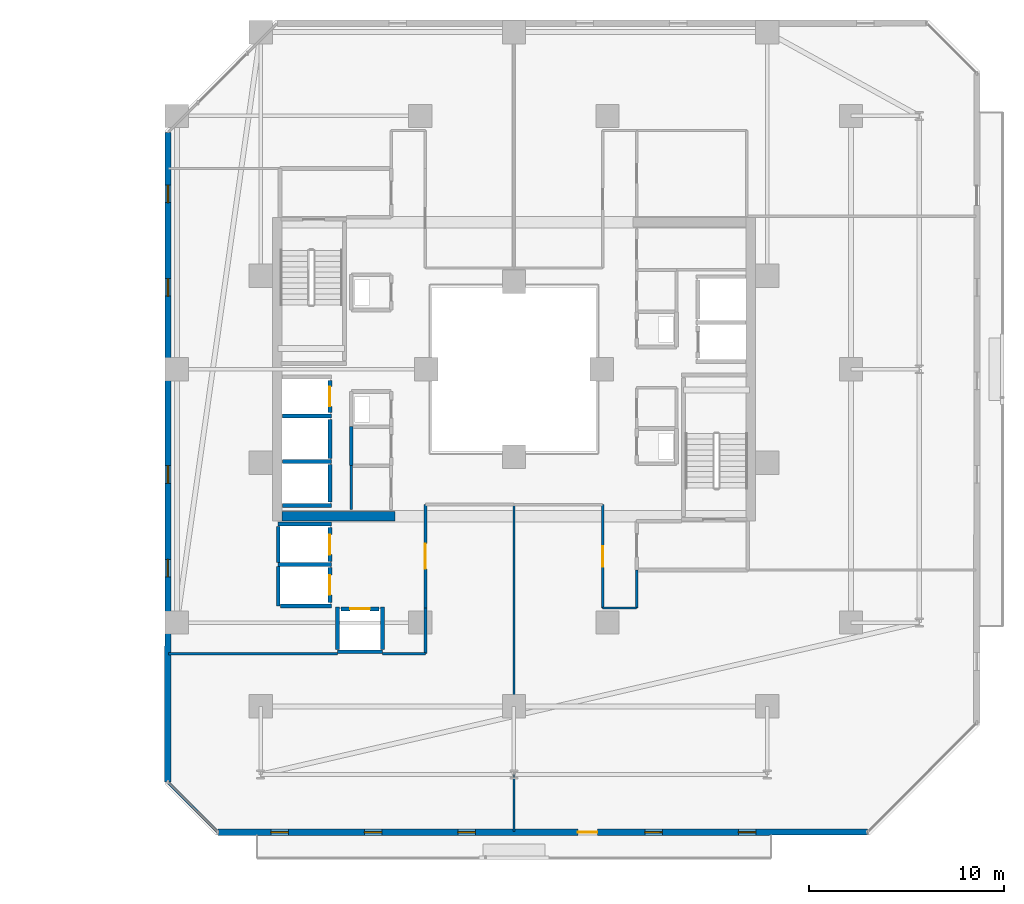
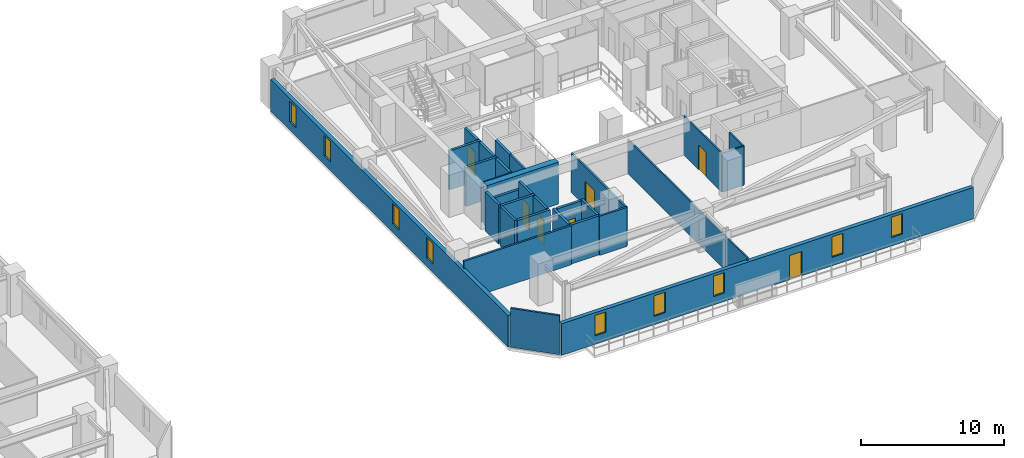
# One storey, part 21 of 31: 31 walls, 9 windows, 7 doors, 16 openings.
"""IFC4 building model written with IfcOpenShell, lengths in metres."""

from ifc_helpers import new_model, si_unit, direction, frame, frame_2d, origin, place, context, subcontext, project, spatial, rectangle, extrude, material, layer, layer_set, type_object, element, fill, save


model = new_model("IFC4")

# Units and contexts
model_context = context("Model", 3, precision=1e-05, world=origin(), true_north=direction((0.0, 1.0)))
body_context = subcontext(model_context, "Body", "Model", "MODEL_VIEW")
ifc_project = project(units=[si_unit("LENGTHUNIT", "METRE"), si_unit("AREAUNIT", "SQUARE_METRE"), si_unit("VOLUMEUNIT", "CUBIC_METRE"), si_unit("PLANEANGLEUNIT", "RADIAN"), si_unit("MASSUNIT", "GRAM", prefix="KILO")], contexts=[model_context])

# Site, building, storey
site_placement = place(None, origin())
site = spatial("IfcSite", under=ifc_project, at=site_placement, CompositionType="ELEMENT")
building_placement = place(site_placement, origin())
building = spatial("IfcBuilding", under=site, at=building_placement, Name="Thornwick Lancets Civic Towers", CompositionType="ELEMENT")
storey_placement = place(building_placement, frame((0.0, 0.0, 126.89990234375)))
storey = spatial("IfcBuildingStorey", under=building, at=storey_placement, Name="L33", CompositionType="ELEMENT", Elevation=126.89990234375)

# Wall, opening, door
ifc_material_1 = material(Name="Concrete blockwork C40/50", Category="masonry")
ifc_layer_1 = layer(ifc_material_1, 0.199951171875, Name="Concrete blockwork C40/50")
ifc_layer_set_1 = layer_set([ifc_layer_1], Name="Concrete blockwork C40/50")
wall_type_1 = type_object("IfcWallType", Name="WALL_COMP_200", PredefinedType="STANDARD", material=ifc_layer_set_1)
wall_1_placement = place(storey_placement, frame((79.050048828125, 24.780029296875, 0.0), z_axis=(0.0, 0.0, 1.0), x_axis=(0.0, 1.0, 0.0)))
wall_1 = element("IfcWall", 1, at=wall_1_placement, inside=storey, type_object=wall_type_1, Name="L33 Hoistway Front Wall FL-B2", PredefinedType="STANDARD", context=body_context, shape_type="SweptSolid", body=[
    extrude(rectangle(XDim=1.639892578125, YDim=0.199951171875, at=frame_2d((0.81982421875, 0.0))), origin(), (0.0, 0.0, 1.0), 3.340087890625),
])
opening_1_placement = place(wall_1_placement, frame((0.31005859375, 0.0, 0.0)))
opening_1 = element("IfcOpeningElement", 2, at=opening_1_placement, cuts=wall_1, Name="Opening LD-FL-B2", PredefinedType="OPENING", context=body_context, shape_type="SweptSolid", body=[
    extrude(rectangle(XDim=1.02001953125, YDim=2.06005859375, at=frame_2d((0.510009765625, 1.030029296875))), frame((0.0, 0.10986328125, 0.0), z_axis=(0.0, -1.0, 0.0), x_axis=(1.0, 0.0, 0.0)), (0.0, 0.0, 1.0), 0.219970703125),
])
ifc_material_2 = material(Name="Brushed bronze stainless steel", Category="steel")
door_type_1 = type_object("IfcDoorType", Name="DOOR_LIFT_SLIDE", OperationType="SLIDING_TO_LEFT", PredefinedType="DOOR", material=ifc_material_2)
door_1_placement = place(opening_1_placement, origin())
door_1 = element("IfcDoor", 3, at=door_1_placement, inside=storey, type_object=door_type_1, Name="L33 Sliding Lift Landing Door LD-FL-B2", OperationType="SLIDING_TO_LEFT", OverallHeight=2.06005859375, OverallWidth=1.02001953125, PredefinedType="DOOR", context=body_context, shape_type="SweptSolid", body=[
    extrude(rectangle(XDim=1.02001953125, YDim=2.06005859375, at=frame_2d((0.510009765625, 1.030029296875))), frame((0.0, 0.02490234375, 0.0), z_axis=(0.0, -1.0, 0.0), x_axis=(1.0, 0.0, 0.0)), (0.0, 0.0, 1.0), 0.050048828125),
])
fill(opening_1, door_1)

# Walls
wall_2_placement = place(storey_placement, frame((79.050048828125, 22.429931640625, 0.0), z_axis=(0.0, 0.0, 1.0), x_axis=(0.0, 1.0, 0.0)))
element("IfcWall", 4, at=wall_2_placement, inside=storey, type_object=wall_type_1, Name="L33 Hoistway Front Wall PL-BH2", PredefinedType="STANDARD", context=body_context, shape_type="SweptSolid", body=[
    extrude(rectangle(XDim=1.989990234375, YDim=0.199951171875, at=frame_2d((0.9951171875, 0.0))), origin(), (0.0, 0.0, 1.0), 3.340087890625),
])
wall_3_placement = place(storey_placement, frame((79.050048828125, 20.179931640625, 0.0), z_axis=(0.0, 0.0, 1.0), x_axis=(0.0, 1.0, 0.0)))
element("IfcWall", 5, at=wall_3_placement, inside=storey, type_object=wall_type_1, Name="L33 Hoistway Front Wall PL-BH3", PredefinedType="STANDARD", context=body_context, shape_type="SweptSolid", body=[
    extrude(rectangle(XDim=1.940185546875, YDim=0.199951171875, at=frame_2d((0.97021484375, 0.0))), origin(), (0.0, 0.0, 1.0), 3.340087890625),
])

# Wall, opening, door
wall_4_placement = place(storey_placement, frame((79.050048828125, 17.1298828125, 0.0), z_axis=(0.0, 0.0, 1.0), x_axis=(0.0, 1.0, 0.0)))
wall_4 = element("IfcWall", 6, at=wall_4_placement, inside=storey, type_object=wall_type_1, Name="L33 Hoistway Front Wall PL-BM1", PredefinedType="STANDARD", context=body_context, shape_type="SweptSolid", body=[
    extrude(rectangle(XDim=1.740234375, YDim=0.199951171875, at=frame_2d((0.8701171875, 0.0))), origin(), (0.0, 0.0, 1.0), 3.340087890625),
])
opening_2_placement = place(wall_4_placement, frame((0.360107421875, 0.0, 0.0)))
opening_2 = element("IfcOpeningElement", 7, at=opening_2_placement, cuts=wall_4, Name="Opening LD-PL-BM1", PredefinedType="OPENING", context=body_context, shape_type="SweptSolid", body=[
    extrude(rectangle(XDim=1.02001953125, YDim=2.06005859375, at=frame_2d((0.510009765625, 1.030029296875))), frame((0.0, 0.10986328125, 0.0), z_axis=(0.0, -1.0, 0.0), x_axis=(1.0, 0.0, 0.0)), (0.0, 0.0, 1.0), 0.219970703125),
])
door_2_placement = place(opening_2_placement, origin())
door_2 = element("IfcDoor", 8, at=door_2_placement, inside=storey, type_object=door_type_1, Name="L33 Sliding Lift Landing Door LD-PL-BM1", OperationType="SLIDING_TO_LEFT", OverallHeight=2.06005859375, OverallWidth=1.02001953125, PredefinedType="DOOR", context=body_context, shape_type="SweptSolid", body=[
    extrude(rectangle(XDim=1.02001953125, YDim=2.06005859375, at=frame_2d((0.510009765625, 1.030029296875))), frame((0.0, 0.02490234375, 0.0), z_axis=(0.0, -1.0, 0.0), x_axis=(1.0, 0.0, 0.0)), (0.0, 0.0, 1.0), 0.050048828125),
])
fill(opening_2, door_2)

wall_5_placement = place(storey_placement, frame((79.050048828125, 15.030029296875, 0.0), z_axis=(0.0, 0.0, 1.0), x_axis=(0.0, 1.0, 0.0)))
wall_5 = element("IfcWall", 9, at=wall_5_placement, inside=storey, type_object=wall_type_1, Name="L33 Hoistway Front Wall PL-BM2", PredefinedType="STANDARD", context=body_context, shape_type="SweptSolid", body=[
    extrude(rectangle(XDim=1.7900390625, YDim=0.199951171875, at=frame_2d((0.89501953125, 0.0))), origin(), (0.0, 0.0, 1.0), 3.340087890625),
])
opening_3_placement = place(wall_5_placement, frame((0.385009765625, 0.0, 0.0)))
opening_3 = element("IfcOpeningElement", 10, at=opening_3_placement, cuts=wall_5, Name="Opening LD-PL-BM2", PredefinedType="OPENING", context=body_context, shape_type="SweptSolid", body=[
    extrude(rectangle(XDim=1.02001953125, YDim=2.06005859375, at=frame_2d((0.510009765625, 1.030029296875))), frame((0.0, 0.10986328125, 0.0), z_axis=(0.0, -1.0, 0.0), x_axis=(1.0, 0.0, 0.0)), (0.0, 0.0, 1.0), 0.219970703125),
])
door_3_placement = place(opening_3_placement, origin())
door_3 = element("IfcDoor", 11, at=door_3_placement, inside=storey, type_object=door_type_1, Name="L33 Sliding Lift Landing Door LD-PL-BM2", OperationType="SLIDING_TO_LEFT", OverallHeight=2.06005859375, OverallWidth=1.02001953125, PredefinedType="DOOR", context=body_context, shape_type="SweptSolid", body=[
    extrude(rectangle(XDim=1.02001953125, YDim=2.06005859375, at=frame_2d((0.510009765625, 1.030029296875))), frame((0.0, 0.02490234375, 0.0), z_axis=(0.0, -1.0, 0.0), x_axis=(1.0, 0.0, 0.0)), (0.0, 0.0, 1.0), 0.050048828125),
])
fill(opening_3, door_3)

wall_6_placement = place(storey_placement, frame((79.6298828125, 14.699951171875, 0.0), z_axis=(0.0, 0.0, 1.0), x_axis=(1.0, 0.0, 0.0)))
wall_6 = element("IfcWall", 12, at=wall_6_placement, inside=storey, type_object=wall_type_1, Name="L33 Hoistway Front Wall PL-BM3", PredefinedType="STANDARD", context=body_context, shape_type="SweptSolid", body=[
    extrude(rectangle(XDim=1.940185546875, YDim=0.199951171875, at=frame_2d((0.97021484375, 0.0))), origin(), (0.0, 0.0, 1.0), 3.340087890625),
])
opening_4_placement = place(wall_6_placement, frame((0.4599609375, 0.0, 0.0)))
opening_4 = element("IfcOpeningElement", 13, at=opening_4_placement, cuts=wall_6, Name="Opening LD-PL-BM3", PredefinedType="OPENING", context=body_context, shape_type="SweptSolid", body=[
    extrude(rectangle(XDim=1.02001953125, YDim=2.06005859375, at=frame_2d((0.510009765625, 1.030029296875))), frame((0.0, 0.10986328125, 0.0), z_axis=(0.0, -1.0, 0.0), x_axis=(1.0, 0.0, 0.0)), (0.0, 0.0, 1.0), 0.219970703125),
])
door_4_placement = place(opening_4_placement, origin())
door_4 = element("IfcDoor", 14, at=door_4_placement, inside=storey, type_object=door_type_1, Name="L33 Sliding Lift Landing Door LD-PL-BM3", OperationType="SLIDING_TO_LEFT", OverallHeight=2.06005859375, OverallWidth=1.02001953125, PredefinedType="DOOR", context=body_context, shape_type="SweptSolid", body=[
    extrude(rectangle(XDim=1.02001953125, YDim=2.06005859375, at=frame_2d((0.510009765625, 1.030029296875))), frame((0.0, 0.02490234375, 0.0), z_axis=(0.0, -1.0, 0.0), x_axis=(1.0, 0.0, 0.0)), (0.0, 0.0, 1.0), 0.050048828125),
])
fill(opening_4, door_4)

# Walls
for number, where, z_axis, x_axis, name in (
    (15, (76.612060546875, 24.60009765625, 0.0), (0.0, 0.0, 1.0), (1.0, 0.0, 0.0), "L33 Hoistway Shaft Wall FL-B2 S"),
    (16, (76.612060546875, 22.27490234375, 0.0), (0.0, 0.0, 1.0), (1.0, 0.0, 0.0), "L33 Hoistway Shaft Wall PL-BH2 S"),
    (17, (76.612060546875, 20.0, 0.0), (0.0, 0.0, 1.0), (1.0, 0.0, 0.0), "L33 Hoistway Shaft Wall PL-BH3 S"),
):
    element("IfcWall", number, at=place(storey_placement, frame(where, z_axis=z_axis, x_axis=x_axis)), inside=storey, type_object=wall_type_1, Name=name, PredefinedType="STANDARD", context=body_context, shape_type="SweptSolid", body=[
        extrude(rectangle(XDim=2.535888671875, YDim=0.199951171875, at=frame_2d((1.26806640625, 0.0))), origin(), (0.0, 0.0, 1.0), 3.340087890625),
    ])
wall_7_placement = place(storey_placement, frame((76.402099609375, 19.050048828125, 0.0), z_axis=(0.0, 0.0, 1.0), x_axis=(1.0, 0.0, 0.0)))
element("IfcWall", 18, at=wall_7_placement, inside=storey, type_object=wall_type_1, Name="L33 Hoistway Shaft Wall PL-BM1 N", PredefinedType="STANDARD", context=body_context, shape_type="SweptSolid", body=[
    extrude(rectangle(XDim=2.745849609375, YDim=0.199951171875, at=frame_2d((1.373046875, 0.0))), origin(), (0.0, 0.0, 1.0), 2.545166015625),
])
wall_8_placement = place(storey_placement, frame((76.402099609375, 16.97509765625, 0.0), z_axis=(0.0, 0.0, 1.0), x_axis=(1.0, 0.0, 0.0)))
element("IfcWall", 19, at=wall_8_placement, inside=storey, type_object=wall_type_1, Name="L33 Hoistway Shaft Wall PL-BM1 S", PredefinedType="STANDARD", context=body_context, shape_type="SweptSolid", body=[
    extrude(rectangle(XDim=2.745849609375, YDim=0.199951171875, at=frame_2d((1.373046875, 0.0))), origin(), (0.0, 0.0, 1.0), 3.340087890625),
])
wall_9_placement = place(storey_placement, frame((76.39990234375, 14.85205078125, 0.0), z_axis=(0.0, 0.0, 1.0), x_axis=(0.0, 1.0, 0.0)))
element("IfcWall", 20, at=wall_9_placement, inside=storey, type_object=wall_type_1, Name="L33 Hoistway Shaft Wall PL-BM1 W", PredefinedType="STANDARD", context=body_context, shape_type="SweptSolid", body=[
    extrude(rectangle(XDim=2.015869140625, YDim=0.199951171875, at=frame_2d((1.0078125, 0.0))), origin(), (0.0, 0.0, 1.0), 3.340087890625),
])
wall_10_placement = place(storey_placement, frame((76.39990234375, 17.08203125, 0.0), z_axis=(0.0, 0.0, 1.0), x_axis=(0.0, 1.0, 0.0)))
element("IfcWall", 21, at=wall_10_placement, inside=storey, type_object=wall_type_1, Name="L33 Hoistway Shaft Wall PL-BM1 W", PredefinedType="STANDARD", context=body_context, shape_type="SweptSolid", body=[
    extrude(rectangle(XDim=1.85595703125, YDim=0.199951171875, at=frame_2d((0.927978515625, 0.0))), origin(), (0.0, 0.0, 1.0), 3.340087890625),
])
wall_11_placement = place(storey_placement, frame((76.511962890625, 14.85009765625, 0.0), z_axis=(0.0, 0.0, 1.0), x_axis=(1.0, 0.0, 0.0)))
element("IfcWall", 22, at=wall_11_placement, inside=storey, type_object=wall_type_1, Name="L33 Hoistway Shaft Wall PL-BM2 S", PredefinedType="STANDARD", context=body_context, shape_type="SweptSolid", body=[
    extrude(rectangle(XDim=2.635986328125, YDim=0.199951171875, at=frame_2d((1.31787109375, 0.0))), origin(), (0.0, 0.0, 1.0), 3.340087890625),
])
wall_12_placement = place(storey_placement, frame((79.451904296875, 12.5, 0.0), z_axis=(0.0, 0.0, 1.0), x_axis=(1.0, 0.0, 0.0)))
element("IfcWall", 23, at=wall_12_placement, inside=storey, type_object=wall_type_1, Name="L33 Hoistway Shaft Wall PL-BM3 S", PredefinedType="STANDARD", context=body_context, shape_type="SweptSolid", body=[
    extrude(rectangle(XDim=2.296142578125, YDim=0.199951171875, at=frame_2d((1.14794921875, 0.0))), origin(), (0.0, 0.0, 1.0), 3.340087890625),
])
for number, where, z_axis, x_axis, name in (
    (24, (81.75, 12.612060546875, 0.0), (0.0, 0.0, 1.0), (0.0, 1.0, 0.0), "L33 Hoistway Shaft Wall PL-BM3 E"),
    (25, (79.449951171875, 12.612060546875, 0.0), (0.0, 0.0, 1.0), (0.0, 1.0, 0.0), "L33 Hoistway Shaft Wall PL-BM3 W"),
):
    element("IfcWall", number, at=place(storey_placement, frame(where, z_axis=z_axis, x_axis=x_axis)), inside=storey, type_object=wall_type_1, Name=name, PredefinedType="STANDARD", context=body_context, shape_type="SweptSolid", body=[
        extrude(rectangle(XDim=2.18603515625, YDim=0.199951171875, at=frame_2d((1.093017578125, 0.0))), origin(), (0.0, 0.0, 1.0), 3.340087890625),
    ])
wall_13_placement = place(storey_placement, frame((80.14990234375, 22.050048828125, 0.0), z_axis=(0.0, 0.0, 1.0), x_axis=(0.0, 1.0, 0.0)))
element("IfcWall", 26, at=wall_13_placement, inside=storey, type_object=wall_type_1, Name="L33 Partition L33-B-STR E1", PredefinedType="STANDARD", context=body_context, shape_type="SweptSolid", body=[
    extrude(rectangle(XDim=2.0, YDim=0.199951171875, at=frame_2d((1.0, 0.0))), origin(), (0.0, 0.0, 1.0), 3.340087890625),
])
ifc_material_3 = material(Name="Concrete C50/60", Category="concrete")
ifc_layer_2 = layer(ifc_material_3, 0.5, Name="Concrete C50/60")
ifc_layer_set_2 = layer_set([ifc_layer_2], Name="Concrete C50/60")
wall_type_2 = type_object("IfcWallType", Name="WALL_CORE_500", PredefinedType="SHEAR", material=ifc_layer_set_2)
wall_14_placement = place(storey_placement, frame((76.60009765625, 19.449951171875, 0.0), z_axis=(0.0, 0.0, 1.0), x_axis=(1.0, 0.0, 0.0)))
element("IfcWall", 27, at=wall_14_placement, inside=storey, type_object=wall_type_2, Name="L33 Split Core B2 Shear Wall S", PredefinedType="SHEAR", context=body_context, shape_type="SweptSolid", body=[
    extrude(rectangle(XDim=5.7998046875, YDim=0.5, at=frame_2d((2.89990234375, 0.0))), origin(), (0.0, 0.0, 1.0), 3.60009765625),
])

# Wall, openings, door, windows
ifc_material_4 = material(Name="Insulated buff terracotta rainscreen on concrete C40/50", Category="masonry")
ifc_layer_3 = layer(ifc_material_4, 0.320068359375, Name="Insulated buff terracotta rainscreen on concrete C40/50")
ifc_layer_set_3 = layer_set([ifc_layer_3], Name="Insulated buff terracotta rainscreen on concrete C40/50")
wall_type_3 = type_object("IfcWallType", Name="WALL_EXT_TERRA_320", PredefinedType="STANDARD", material=ifc_layer_set_3)
wall_15_placement = place(storey_placement, frame((73.318603515625, 3.2353515625, 0.0), z_axis=(0.0, 0.0, 1.0), x_axis=(0.999999954901, 0.000300328883, 0.0)))
wall_15 = element("IfcWall", 28, at=wall_15_placement, inside=storey, type_object=wall_type_3, Name="L33 Tower B Terracotta Facade Wall E0", PredefinedType="STANDARD", context=body_context, shape_type="SweptSolid", body=[
    extrude(rectangle(XDim=33.329345703125, YDim=0.320068359375, at=frame_2d((16.66455078125, 0.0))), origin(), (0.0, 0.0, 1.0), 2.7001953125),
])
opening_5_placement = place(wall_15_placement, frame((18.464599609375, 0.0, 0.0)))
opening_5 = element("IfcOpeningElement", 29, at=opening_5_placement, cuts=wall_15, Name="Opening D-BL-L33-BS", PredefinedType="OPENING", context=body_context, shape_type="SweptSolid", body=[
    extrude(rectangle(XDim=1.0, YDim=2.080078125, at=frame_2d((0.5, 1.0400390625))), frame((0.0, 0.169921875, 0.0), z_axis=(0.0, -1.0, 0.0), x_axis=(1.0, 0.0, 0.0)), (0.0, 0.0, 1.0), 0.340087890625),
])
opening_6_placement = place(wall_15_placement, frame((2.699951171875, 0.0, 0.719970703125)))
opening_6 = element("IfcOpeningElement", 30, at=opening_6_placement, cuts=wall_15, Name="Opening WL-01", PredefinedType="OPENING", context=body_context, shape_type="SweptSolid", body=[
    extrude(rectangle(XDim=0.89990234375, YDim=1.75, at=frame_2d((0.449951171875, 0.875))), frame((0.0, 0.169921875, 0.0), z_axis=(0.0, -1.0, 0.0), x_axis=(1.0, 0.0, 0.0)), (0.0, 0.0, 1.0), 0.340087890625),
])
opening_7_placement = place(wall_15_placement, frame((7.5, 0.0, 0.719970703125)))
opening_7 = element("IfcOpeningElement", 31, at=opening_7_placement, cuts=wall_15, Name="Opening WL-01", PredefinedType="OPENING", context=body_context, shape_type="SweptSolid", body=[
    extrude(rectangle(XDim=0.89990234375, YDim=1.75, at=frame_2d((0.449951171875, 0.875))), frame((0.0, 0.169921875, 0.0), z_axis=(0.0, -1.0, 0.0), x_axis=(1.0, 0.0, 0.0)), (0.0, 0.0, 1.0), 0.340087890625),
])
opening_8_placement = place(wall_15_placement, frame((12.300048828125, 0.0, 0.719970703125)))
opening_8 = element("IfcOpeningElement", 32, at=opening_8_placement, cuts=wall_15, Name="Opening WL-01", PredefinedType="OPENING", context=body_context, shape_type="SweptSolid", body=[
    extrude(rectangle(XDim=0.89990234375, YDim=1.75, at=frame_2d((0.449951171875, 0.875))), frame((0.0, 0.169921875, 0.0), z_axis=(0.0, -1.0, 0.0), x_axis=(1.0, 0.0, 0.0)), (0.0, 0.0, 1.0), 0.340087890625),
])
opening_9_placement = place(wall_15_placement, frame((21.89990234375, 0.0, 0.719970703125)))
opening_9 = element("IfcOpeningElement", 33, at=opening_9_placement, cuts=wall_15, Name="Opening WL-01", PredefinedType="OPENING", context=body_context, shape_type="SweptSolid", body=[
    extrude(rectangle(XDim=0.89990234375, YDim=1.75, at=frame_2d((0.449951171875, 0.875))), frame((0.0, 0.169921875, 0.0), z_axis=(0.0, -1.0, 0.0), x_axis=(1.0, 0.0, 0.0)), (0.0, 0.0, 1.0), 0.340087890625),
])
opening_10_placement = place(wall_15_placement, frame((26.699951171875, 0.0, 0.719970703125)))
opening_10 = element("IfcOpeningElement", 34, at=opening_10_placement, cuts=wall_15, Name="Opening WL-01", PredefinedType="OPENING", context=body_context, shape_type="SweptSolid", body=[
    extrude(rectangle(XDim=0.89990234375, YDim=1.75, at=frame_2d((0.449951171875, 0.875))), frame((0.0, 0.169921875, 0.0), z_axis=(0.0, -1.0, 0.0), x_axis=(1.0, 0.0, 0.0)), (0.0, 0.0, 1.0), 0.340087890625),
])
ifc_material_5 = material(Name="Thermally broken glazed loggia doorset")
door_type_2 = type_object("IfcDoorType", Name="DOOR_BALC_1000", OperationType="NOTDEFINED", PredefinedType="DOOR", material=ifc_material_5)
door_5_placement = place(opening_5_placement, origin())
door_5 = element("IfcDoor", 35, at=door_5_placement, inside=storey, type_object=door_type_2, Name="L33 Tower B Loggia Balcony Door S", OperationType="SINGLE_SWING_RIGHT", OverallHeight=2.080078125, OverallWidth=1.0, PredefinedType="DOOR", context=body_context, shape_type="SweptSolid", body=[
    extrude(rectangle(XDim=1.0, YDim=2.080078125, at=frame_2d((0.5, 1.0400390625))), frame((0.0, 0.02490234375, 0.0), z_axis=(0.0, -1.0, 0.0), x_axis=(1.0, 0.0, 0.0)), (0.0, 0.0, 1.0), 0.050048828125),
])
fill(opening_5, door_5)
ifc_material_6 = material(Name="Clear low-e double glazing in bronze frame", Category="glass")
window_type = type_object("IfcWindowType", Name="WIN_LANCET_900", PartitioningType="SINGLE_PANEL", PredefinedType="WINDOW", material=ifc_material_6)
window_1_placement = place(opening_6_placement, origin())
window_1 = element("IfcWindow", 36, at=window_1_placement, inside=storey, type_object=window_type, Name="L33 Tower B Staggered Lancet Window E0-1", OverallHeight=1.75, OverallWidth=0.89990234375, PartitioningType="SINGLE_PANEL", PredefinedType="WINDOW", context=body_context, shape_type="SweptSolid", body=[
    extrude(rectangle(XDim=0.89990234375, YDim=1.75, at=frame_2d((0.449951171875, 0.875))), frame((0.0, 0.030029296875, 0.0), z_axis=(0.0, -1.0, 0.0), x_axis=(1.0, 0.0, 0.0)), (0.0, 0.0, 1.0), 0.06005859375),
])
fill(opening_6, window_1)
window_2_placement = place(opening_7_placement, origin())
window_2 = element("IfcWindow", 37, at=window_2_placement, inside=storey, type_object=window_type, Name="L33 Tower B Staggered Lancet Window E0-2", OverallHeight=1.75, OverallWidth=0.89990234375, PartitioningType="SINGLE_PANEL", PredefinedType="WINDOW", context=body_context, shape_type="SweptSolid", body=[
    extrude(rectangle(XDim=0.89990234375, YDim=1.75, at=frame_2d((0.449951171875, 0.875))), frame((0.0, 0.030029296875, 0.0), z_axis=(0.0, -1.0, 0.0), x_axis=(1.0, 0.0, 0.0)), (0.0, 0.0, 1.0), 0.06005859375),
])
fill(opening_7, window_2)
window_3_placement = place(opening_8_placement, origin())
window_3 = element("IfcWindow", 38, at=window_3_placement, inside=storey, type_object=window_type, Name="L33 Tower B Staggered Lancet Window E0-3", OverallHeight=1.75, OverallWidth=0.89990234375, PartitioningType="SINGLE_PANEL", PredefinedType="WINDOW", context=body_context, shape_type="SweptSolid", body=[
    extrude(rectangle(XDim=0.89990234375, YDim=1.75, at=frame_2d((0.449951171875, 0.875))), frame((0.0, 0.030029296875, 0.0), z_axis=(0.0, -1.0, 0.0), x_axis=(1.0, 0.0, 0.0)), (0.0, 0.0, 1.0), 0.06005859375),
])
fill(opening_8, window_3)
window_4_placement = place(opening_9_placement, origin())
window_4 = element("IfcWindow", 39, at=window_4_placement, inside=storey, type_object=window_type, Name="L33 Tower B Staggered Lancet Window E0-4", OverallHeight=1.75, OverallWidth=0.89990234375, PartitioningType="SINGLE_PANEL", PredefinedType="WINDOW", context=body_context, shape_type="SweptSolid", body=[
    extrude(rectangle(XDim=0.89990234375, YDim=1.75, at=frame_2d((0.449951171875, 0.875))), frame((0.0, 0.030029296875, 0.0), z_axis=(0.0, -1.0, 0.0), x_axis=(1.0, 0.0, 0.0)), (0.0, 0.0, 1.0), 0.06005859375),
])
fill(opening_9, window_4)
window_5_placement = place(opening_10_placement, origin())
window_5 = element("IfcWindow", 40, at=window_5_placement, inside=storey, type_object=window_type, Name="L33 Tower B Staggered Lancet Window E0-5", OverallHeight=1.75, OverallWidth=0.89990234375, PartitioningType="SINGLE_PANEL", PredefinedType="WINDOW", context=body_context, shape_type="SweptSolid", body=[
    extrude(rectangle(XDim=0.89990234375, YDim=1.75, at=frame_2d((0.449951171875, 0.875))), frame((0.0, 0.030029296875, 0.0), z_axis=(0.0, -1.0, 0.0), x_axis=(1.0, 0.0, 0.0)), (0.0, 0.0, 1.0), 0.06005859375),
])
fill(opening_10, window_5)

# Wall, openings, windows
wall_16_placement = place(storey_placement, frame((70.745361328125, 39.14794921875, 0.0), z_axis=(0.0, 0.0, 1.0), x_axis=(-0.000300328883, -0.999999954901, 0.0)))
wall_16 = element("IfcWall", 41, at=wall_16_placement, inside=storey, type_object=wall_type_3, Name="L33 Tower B Terracotta Facade Wall E6", PredefinedType="STANDARD", context=body_context, shape_type="SweptSolid", body=[
    extrude(rectangle(XDim=33.329345703125, YDim=0.320068359375, at=frame_2d((16.66455078125, 0.0))), origin(), (0.0, 0.0, 1.0), 2.7001953125),
])
opening_11_placement = place(wall_16_placement, frame((2.699951171875, 0.0, 0.719970703125)))
opening_11 = element("IfcOpeningElement", 42, at=opening_11_placement, cuts=wall_16, Name="Opening WL-01", PredefinedType="OPENING", context=body_context, shape_type="SweptSolid", body=[
    extrude(rectangle(XDim=0.89990234375, YDim=1.75, at=frame_2d((0.449951171875, 0.875))), frame((0.0, 0.169921875, 0.0), z_axis=(0.0, -1.0, 0.0), x_axis=(1.0, 0.0, 0.0)), (0.0, 0.0, 1.0), 0.340087890625),
])
opening_12_placement = place(wall_16_placement, frame((7.5, 0.0, 0.719970703125)))
opening_12 = element("IfcOpeningElement", 43, at=opening_12_placement, cuts=wall_16, Name="Opening WL-01", PredefinedType="OPENING", context=body_context, shape_type="SweptSolid", body=[
    extrude(rectangle(XDim=0.89990234375, YDim=1.75, at=frame_2d((0.449951171875, 0.875))), frame((0.0, 0.169921875, 0.0), z_axis=(0.0, -1.0, 0.0), x_axis=(1.0, 0.0, 0.0)), (0.0, 0.0, 1.0), 0.340087890625),
])
opening_13_placement = place(wall_16_placement, frame((17.10009765625, 0.0, 0.719970703125)))
opening_13 = element("IfcOpeningElement", 44, at=opening_13_placement, cuts=wall_16, Name="Opening WL-01", PredefinedType="OPENING", context=body_context, shape_type="SweptSolid", body=[
    extrude(rectangle(XDim=0.89990234375, YDim=1.75, at=frame_2d((0.449951171875, 0.875))), frame((0.0, 0.169921875, 0.0), z_axis=(0.0, -1.0, 0.0), x_axis=(1.0, 0.0, 0.0)), (0.0, 0.0, 1.0), 0.340087890625),
])
opening_14_placement = place(wall_16_placement, frame((21.89990234375, 0.0, 0.719970703125)))
opening_14 = element("IfcOpeningElement", 45, at=opening_14_placement, cuts=wall_16, Name="Opening WL-01", PredefinedType="OPENING", context=body_context, shape_type="SweptSolid", body=[
    extrude(rectangle(XDim=0.89990234375, YDim=1.75, at=frame_2d((0.449951171875, 0.875))), frame((0.0, 0.169921875, 0.0), z_axis=(0.0, -1.0, 0.0), x_axis=(1.0, 0.0, 0.0)), (0.0, 0.0, 1.0), 0.340087890625),
])
window_6_placement = place(opening_11_placement, origin())
window_6 = element("IfcWindow", 46, at=window_6_placement, inside=storey, type_object=window_type, Name="L33 Tower B Staggered Lancet Window E6-1", OverallHeight=1.75, OverallWidth=0.89990234375, PartitioningType="SINGLE_PANEL", PredefinedType="WINDOW", context=body_context, shape_type="SweptSolid", body=[
    extrude(rectangle(XDim=0.89990234375, YDim=1.75, at=frame_2d((0.449951171875, 0.875))), frame((0.0, 0.030029296875, 0.0), z_axis=(0.0, -1.0, 0.0), x_axis=(1.0, 0.0, 0.0)), (0.0, 0.0, 1.0), 0.06005859375),
])
fill(opening_11, window_6)
window_7_placement = place(opening_12_placement, origin())
window_7 = element("IfcWindow", 47, at=window_7_placement, inside=storey, type_object=window_type, Name="L33 Tower B Staggered Lancet Window E6-2", OverallHeight=1.75, OverallWidth=0.89990234375, PartitioningType="SINGLE_PANEL", PredefinedType="WINDOW", context=body_context, shape_type="SweptSolid", body=[
    extrude(rectangle(XDim=0.89990234375, YDim=1.75, at=frame_2d((0.449951171875, 0.875))), frame((0.0, 0.030029296875, 0.0), z_axis=(0.0, -1.0, 0.0), x_axis=(1.0, 0.0, 0.0)), (0.0, 0.0, 1.0), 0.06005859375),
])
fill(opening_12, window_7)
window_8_placement = place(opening_13_placement, origin())
window_8 = element("IfcWindow", 48, at=window_8_placement, inside=storey, type_object=window_type, Name="L33 Tower B Staggered Lancet Window E6-3", OverallHeight=1.75, OverallWidth=0.89990234375, PartitioningType="SINGLE_PANEL", PredefinedType="WINDOW", context=body_context, shape_type="SweptSolid", body=[
    extrude(rectangle(XDim=0.89990234375, YDim=1.75, at=frame_2d((0.449951171875, 0.875))), frame((0.0, 0.030029296875, 0.0), z_axis=(0.0, -1.0, 0.0), x_axis=(1.0, 0.0, 0.0)), (0.0, 0.0, 1.0), 0.06005859375),
])
fill(opening_13, window_8)
window_9_placement = place(opening_14_placement, origin())
window_9 = element("IfcWindow", 49, at=window_9_placement, inside=storey, type_object=window_type, Name="L33 Tower B Staggered Lancet Window E6-4", OverallHeight=1.75, OverallWidth=0.89990234375, PartitioningType="SINGLE_PANEL", PredefinedType="WINDOW", context=body_context, shape_type="SweptSolid", body=[
    extrude(rectangle(XDim=0.89990234375, YDim=1.75, at=frame_2d((0.449951171875, 0.875))), frame((0.0, 0.030029296875, 0.0), z_axis=(0.0, -1.0, 0.0), x_axis=(1.0, 0.0, 0.0)), (0.0, 0.0, 1.0), 0.06005859375),
])
fill(opening_14, window_9)

# Wall
ifc_material_7 = material(Name="Acoustic gypsum board partition")
ifc_layer_4 = layer(ifc_material_7, 0.1201171875, Name="Acoustic gypsum board partition")
ifc_layer_set_4 = layer_set([ifc_layer_4], Name="Acoustic gypsum board partition")
wall_type_4 = type_object("IfcWallType", Name="WALL_PART_120", PredefinedType="PARTITIONING", material=ifc_layer_set_4)
wall_17_placement = place(storey_placement, frame((88.5, 3.280029296875, 0.0), z_axis=(0.0, 0.0, 1.0), x_axis=(0.0, 1.0, 0.0)))
element("IfcWall", 50, at=wall_17_placement, inside=storey, type_object=wall_type_4, Name="L33 Partition L33-B-W1 E2", PredefinedType="PARTITIONING", context=body_context, shape_type="SweptSolid", body=[
    extrude(rectangle(XDim=16.77001953125, YDim=0.1201171875, at=frame_2d((8.385009765625, 0.0))), origin(), (0.0, 0.0, 1.0), 2.932373046875),
])

# Wall, opening, door
wall_18_placement = place(storey_placement, frame((93.050048828125, 20.050048828125, 0.0), z_axis=(0.0, 0.0, 1.0), x_axis=(0.0, -1.0, 0.0)))
wall_18 = element("IfcWall", 51, at=wall_18_placement, inside=storey, type_object=wall_type_4, Name="L33 Partition L33-B-W1 E4", PredefinedType="PARTITIONING", context=body_context, shape_type="SweptSolid", body=[
    extrude(rectangle(XDim=5.300048828125, YDim=0.1201171875, at=frame_2d((2.64990234375, 0.0))), origin(), (0.0, 0.0, 1.0), 3.340087890625),
])
opening_15_placement = place(wall_18_placement, frame((2.125, 0.0, 0.0)))
opening_15 = element("IfcOpeningElement", 52, at=opening_15_placement, cuts=wall_18, Name="Opening D-L33-1521", PredefinedType="OPENING", context=body_context, shape_type="SweptSolid", body=[
    extrude(rectangle(XDim=1.050048828125, YDim=2.10009765625, at=frame_2d((0.52490234375, 1.050048828125))), frame((0.0, 0.070068359375, 0.0), z_axis=(0.0, -1.0, 0.0), x_axis=(1.0, 0.0, 0.0)), (0.0, 0.0, 1.0), 0.14013671875),
])
ifc_material_8 = material(Name="Glazed European oak executive doorset")
door_type_3 = type_object("IfcDoorType", Name="DOOR_OFFICE_1050", OperationType="NOTDEFINED", PredefinedType="DOOR", material=ifc_material_8)
door_6_placement = place(opening_15_placement, origin())
door_6 = element("IfcDoor", 53, at=door_6_placement, inside=storey, type_object=door_type_3, Name="L33 Tower B Ministry Directorate Office W1 Door", OperationType="SINGLE_SWING_RIGHT", OverallHeight=2.10009765625, OverallWidth=1.050048828125, PredefinedType="DOOR", context=body_context, shape_type="SweptSolid", body=[
    extrude(rectangle(XDim=1.050048828125, YDim=2.10009765625, at=frame_2d((0.52490234375, 1.050048828125))), frame((0.0, 0.02490234375, 0.0), z_axis=(0.0, -1.0, 0.0), x_axis=(1.0, 0.0, 0.0)), (0.0, 0.0, 1.0), 0.050048828125),
])
fill(opening_15, door_6)

# Walls
wall_19_placement = place(storey_placement, frame((93.050048828125, 14.75, 0.0), z_axis=(0.0, 0.0, 1.0), x_axis=(1.0, 0.0, 0.0)))
element("IfcWall", 54, at=wall_19_placement, inside=storey, type_object=wall_type_4, Name="L33 Partition L33-B-W1 E5", PredefinedType="PARTITIONING", context=body_context, shape_type="SweptSolid", body=[
    extrude(rectangle(XDim=1.75, YDim=0.1201171875, at=frame_2d((0.875, 0.0))), origin(), (0.0, 0.0, 1.0), 3.340087890625),
])
wall_20_placement = place(storey_placement, frame((94.800048828125, 14.75, 0.0), z_axis=(0.0, 0.0, 1.0), x_axis=(0.0, 1.0, 0.0)))
element("IfcWall", 55, at=wall_20_placement, inside=storey, type_object=wall_type_4, Name="L33 Partition L33-B-W1 E6", PredefinedType="PARTITIONING", context=body_context, shape_type="SweptSolid", body=[
    extrude(rectangle(XDim=1.949951171875, YDim=0.1201171875, at=frame_2d((0.97509765625, 0.0))), origin(), (0.0, 0.0, 1.0), 3.340087890625),
])
ifc_material_9 = material(Name="Twin-stud acoustic gypsum board")
ifc_layer_5 = layer(ifc_material_9, 0.14990234375, Name="Twin-stud acoustic gypsum board")
ifc_layer_set_5 = layer_set([ifc_layer_5], Name="Twin-stud acoustic gypsum board")
wall_type_5 = type_object("IfcWallType", Name="WALL_PART_150", PredefinedType="PARTITIONING", material=ifc_layer_set_5)
wall_21_placement = place(storey_placement, frame((80.14990234375, 22.050048828125, 0.0), z_axis=(0.0, 0.0, 1.0), x_axis=(0.0, -1.0, 0.0)))
element("IfcWall", 56, at=wall_21_placement, inside=storey, type_object=wall_type_5, Name="L33 Partition L33-B-AWC E4", PredefinedType="PARTITIONING", context=body_context, shape_type="SweptSolid", body=[
    extrude(rectangle(XDim=2.25, YDim=0.14990234375, at=frame_2d((1.125, 0.0))), origin(), (0.0, 0.0, 1.0), 3.340087890625),
])

# Wall, opening, door
wall_22_placement = place(storey_placement, frame((83.949951171875, 14.75, 0.0), z_axis=(0.0, 0.0, 1.0), x_axis=(0.0, 1.0, 0.0)))
wall_22 = element("IfcWall", 57, at=wall_22_placement, inside=storey, type_object=wall_type_5, Name="L33 Partition L33-B-W2 E1", PredefinedType="PARTITIONING", context=body_context, shape_type="SweptSolid", body=[
    extrude(rectangle(XDim=5.300048828125, YDim=0.14990234375, at=frame_2d((2.64990234375, 0.0))), origin(), (0.0, 0.0, 1.0), 3.340087890625),
])
opening_16_placement = place(wall_22_placement, frame((2.0, 0.0, 0.0)))
opening_16 = element("IfcOpeningElement", 58, at=opening_16_placement, cuts=wall_22, Name="Opening D-L33-1522", PredefinedType="OPENING", context=body_context, shape_type="SweptSolid", body=[
    extrude(rectangle(XDim=1.300048828125, YDim=2.1201171875, at=frame_2d((0.64990234375, 1.06005859375))), frame((0.0, 0.0849609375, 0.0), z_axis=(0.0, -1.0, 0.0), x_axis=(1.0, 0.0, 0.0)), (0.0, 0.0, 1.0), 0.169921875),
])
ifc_material_10 = material(Name="Acoustic oak leaf-and-a-half doorset")
door_type_4 = type_object("IfcDoorType", Name="DOOR_MEET_1300", OperationType="DOUBLE_DOOR_SINGLE_SWING", PredefinedType="DOOR", material=ifc_material_10)
door_7_placement = place(opening_16_placement, origin())
door_7 = element("IfcDoor", 59, at=door_7_placement, inside=storey, type_object=door_type_4, Name="L33 Tower B Policy Briefing Room W2 Door", OperationType="DOUBLE_DOOR_SINGLE_SWING", OverallHeight=2.1201171875, OverallWidth=1.300048828125, PredefinedType="DOOR", context=body_context, shape_type="SweptSolid", body=[
    extrude(rectangle(XDim=1.300048828125, YDim=2.1201171875, at=frame_2d((0.64990234375, 1.06005859375))), frame((0.0, 0.02490234375, 0.0), z_axis=(0.0, -1.0, 0.0), x_axis=(1.0, 0.0, 0.0)), (0.0, 0.0, 1.0), 0.050048828125),
])
fill(opening_16, door_7)

# Walls
wall_23_placement = place(storey_placement, frame((73.274658203125, 3.280029296875, 0.0), z_axis=(0.0, 0.0, 1.0), x_axis=(-0.707106781187, 0.707106781187, 0.0)))
element("IfcWall", 60, at=wall_23_placement, inside=storey, type_object=wall_type_5, Name="L33 Partition L33-B-W2 E5", PredefinedType="PARTITIONING", context=body_context, shape_type="SweptSolid", body=[
    extrude(rectangle(XDim=3.52783203125, YDim=0.14990234375, at=frame_2d((1.763916015625, 0.0))), origin(), (0.0, 0.0, 1.0), 3.340087890625),
])
wall_24_placement = place(storey_placement, frame((70.780029296875, 12.39990234375, 0.0), z_axis=(0.0, 0.0, 1.0), x_axis=(1.0, 0.0, 0.0)))
element("IfcWall", 61, at=wall_24_placement, inside=storey, type_object=wall_type_5, Name="L33 Partition L33-B-W2 E7", PredefinedType="PARTITIONING", context=body_context, shape_type="SweptSolid", body=[
    extrude(rectangle(XDim=8.671875, YDim=0.14990234375, at=frame_2d((4.3359375, 0.0))), origin(), (0.0, 0.0, 1.0), 3.340087890625),
])
wall_25_placement = place(storey_placement, frame((81.748046875, 12.39990234375, 0.0), z_axis=(0.0, 0.0, 1.0), x_axis=(1.0, 0.0, 0.0)))
element("IfcWall", 62, at=wall_25_placement, inside=storey, type_object=wall_type_5, Name="L33 Partition L33-B-W2 E7", PredefinedType="PARTITIONING", context=body_context, shape_type="SweptSolid", body=[
    extrude(rectangle(XDim=2.201904296875, YDim=0.14990234375, at=frame_2d((1.10107421875, 0.0))), origin(), (0.0, 0.0, 1.0), 3.340087890625),
])
wall_26_placement = place(storey_placement, frame((83.949951171875, 12.39990234375, 0.0), z_axis=(0.0, 0.0, 1.0), x_axis=(0.0, 1.0, 0.0)))
element("IfcWall", 63, at=wall_26_placement, inside=storey, type_object=wall_type_5, Name="L33 Partition L33-B-W2 E8", PredefinedType="PARTITIONING", context=body_context, shape_type="SweptSolid", body=[
    extrude(rectangle(XDim=2.35009765625, YDim=0.14990234375, at=frame_2d((1.175048828125, 0.0))), origin(), (0.0, 0.0, 1.0), 3.340087890625),
])

save(model, "model.ifc")
